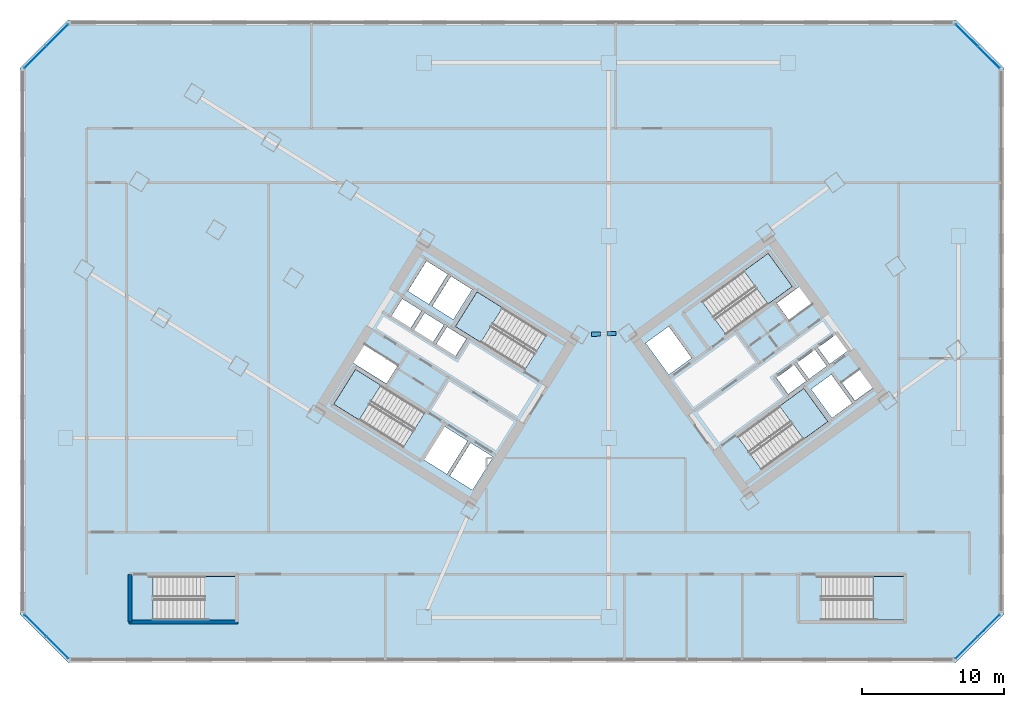
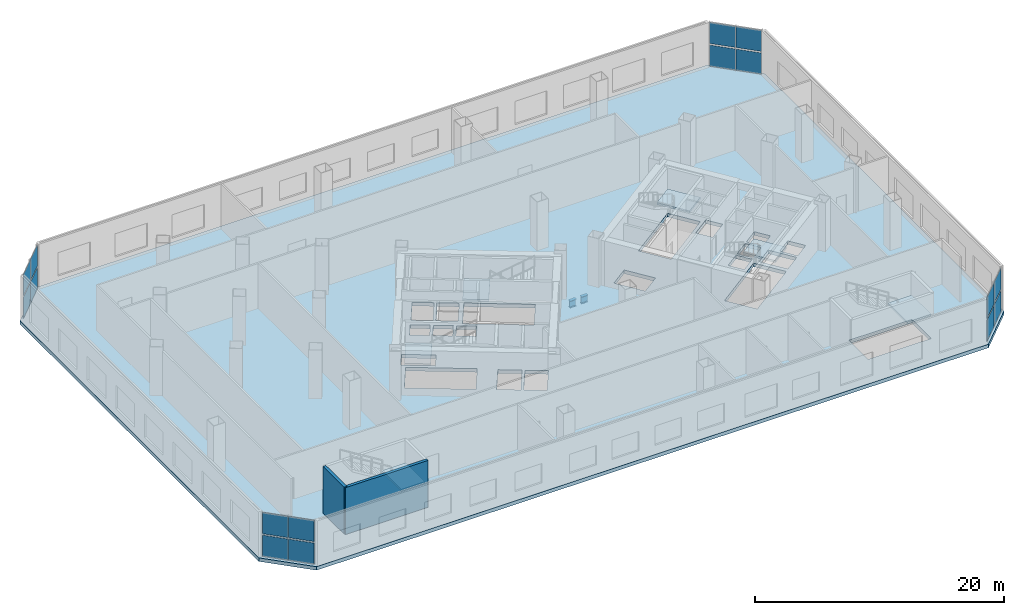
# One storey, part 9 of 22: 16 plates, 7 slabs, 2 beams, 2 walls, 10 elements without a shape of their own.
"""IFC4 building model written with IfcOpenShell, lengths in metres."""

from ifc_helpers import new_model, si_unit, direction, frame, frame_2d, origin, origin_2d, place, context, subcontext, project, spatial, polyline, rectangle, i_section, outline, extrude, source, transform, mapped, material, layer, layer_set, material_profile, profile_set, type_object, element, aggregate, save


model = new_model("IFC4")

# Units and contexts
model_context = context("Model", 3, precision=1e-05, world=origin(), true_north=direction((0.0, 1.0)))
body_context = subcontext(model_context, "Body", "Model", "MODEL_VIEW")
ifc_project = project(units=[si_unit("LENGTHUNIT", "METRE"), si_unit("AREAUNIT", "SQUARE_METRE"), si_unit("VOLUMEUNIT", "CUBIC_METRE"), si_unit("PLANEANGLEUNIT", "RADIAN"), si_unit("MASSUNIT", "GRAM", prefix="KILO")], contexts=[model_context])

# Site, building, storey
site_placement = place(None, origin())
site = spatial("IfcSite", under=ifc_project, at=site_placement, CompositionType="ELEMENT")
building_placement = place(site_placement, origin())
building = spatial("IfcBuilding", under=site, at=building_placement, Name="Tlacorven Tower", CompositionType="ELEMENT")
storey_placement = place(building_placement, frame((0.0, 0.0, 5.39990234375)))
storey = spatial("IfcBuildingStorey", under=building, at=storey_placement, Name="L01", CompositionType="ELEMENT", Elevation=5.39990234375)

# Beams
ifc_material_1 = material(Name="Steel S355J2", Category="steel")
ifc_material_profile = material_profile(ifc_material_1, i_section(OverallWidth=0.300048828125, OverallDepth=0.699951171875, WebThickness=0.01708984375, FlangeThickness=0.031982421875, at=origin_2d()), Name="HEB 700")
ifc_profile_set = profile_set([ifc_material_profile], Name="Steel S355J2")
beam_type = type_object("IfcBeamType", Name="BM-POD-700", PredefinedType="BEAM", material=ifc_profile_set)
shared_shape_1 = source(origin(), body_context, "Body", "SweptSolid", [
    extrude(i_section(OverallWidth=0.300048828125, OverallDepth=0.699951171875, WebThickness=0.01708984375, FlangeThickness=0.031982421875, at=origin_2d()), origin(), (0.0, 0.0, 1.0), 0.610107421875),
])
for number, where, z_axis, x_axis, name in (
    (1, (41.6025390625, 24.4970703125, -1.099853515625), (0.999393576203, 0.034820681269, 0.0), (-0.034820681269, 0.999393576203, 0.0), "L01 Concourse Bridge Sliding Bearing Corbel Seat 450mm"),
    (2, (42.694580078125, 24.53515625, -1.099853515625), (0.999393576203, 0.034820681269, 0.0), (-0.034820681269, 0.999393576203, 0.0), "L01 Concourse Bridge Fixed Bearing Corbel Seat 350mm"),
):
    element("IfcBeam", number, at=place(storey_placement, frame(where, z_axis=z_axis, x_axis=x_axis)), inside=storey, type_object=beam_type, Name=name, PredefinedType="BEAM", context=body_context, shape_type="MappedRepresentation", body=[
        mapped(shared_shape_1, transform((0.0, 0.0, 0.0), scale=1.0)),
    ])

# Stair, slab
ifc_material_2 = material(Name="Concrete C40/50", Category="concrete")
stair_type_1 = type_object("IfcStairType", Name="ST-CORE-DLG", PredefinedType="HALF_TURN_STAIR", material=ifc_material_2)
stair_1_placement = place(storey_placement, origin())
stair_1 = element("IfcStair", 3, at=stair_1_placement, inside=storey, type_object=stair_type_1, Name="L01 Protected Exit Stair West 1", PredefinedType="HALF_TURN_STAIR")
ifc_layer_1 = layer(ifc_material_2, 0.199951171875)
ifc_layer_set_1 = layer_set([ifc_layer_1], Name="Concrete C40/50")
slab_type_1 = type_object("IfcSlabType", Name="SL-LND-200", PredefinedType="LANDING", material=ifc_layer_set_1)
slab_1_placement = place(storey_placement, frame((0.0, 0.0, 2.2001953125)))
slab_1 = element("IfcSlab", 4, at=slab_1_placement, type_object=slab_type_1, Name="ST-W1 landing 1", PredefinedType="LANDING", context=body_context, shape_type="SweptSolid", body=[
    extrude(outline(polyline([(26.778564453125, 20.90869140625), (24.9892578125, 22.02685546875), (23.463134765625, 19.58447265625), (25.25244140625, 18.46630859375), (26.778564453125, 20.90869140625)])), origin(), (0.0, 0.0, 1.0), 0.199951171875),
])
aggregate(stair_1, [slab_1])

stair_2_placement = place(storey_placement, origin())
stair_2 = element("IfcStair", 5, at=stair_2_placement, inside=storey, type_object=stair_type_1, Name="L01 Protected Exit Stair West 2", PredefinedType="HALF_TURN_STAIR")
slab_2_placement = place(storey_placement, frame((0.0, 0.0, 2.2001953125)))
slab_2 = element("IfcSlab", 6, at=slab_2_placement, type_object=slab_type_1, Name="ST-W2 landing 1", PredefinedType="LANDING", context=body_context, shape_type="SweptSolid", body=[
    extrude(outline(polyline([(35.330078125, 26.366455078125), (33.540771484375, 27.484375), (32.0146484375, 25.0419921875), (33.803955078125, 23.924072265625), (35.330078125, 26.366455078125)])), origin(), (0.0, 0.0, 1.0), 0.199951171875),
])
aggregate(stair_2, [slab_2])

stair_3_placement = place(storey_placement, origin())
stair_3 = element("IfcStair", 7, at=stair_3_placement, inside=storey, type_object=stair_type_1, Name="L01 Protected Exit Stair East 1", PredefinedType="HALF_TURN_STAIR")
slab_3_placement = place(storey_placement, frame((0.0, 0.0, 2.2001953125)))
slab_3 = element("IfcSlab", 8, at=slab_3_placement, type_object=slab_type_1, Name="ST-E1 landing 1", PredefinedType="LANDING", context=body_context, shape_type="SweptSolid", body=[
    extrude(outline(polyline([(54.00390625, 26.621337890625), (55.7109375, 27.861572265625), (54.01806640625, 30.19140625), (52.31103515625, 28.951171875), (54.00390625, 26.621337890625)])), origin(), (0.0, 0.0, 1.0), 0.199951171875),
])
aggregate(stair_3, [slab_3])

stair_4_placement = place(storey_placement, origin())
stair_4 = element("IfcStair", 9, at=stair_4_placement, inside=storey, type_object=stair_type_1, Name="L01 Protected Exit Stair East 2", PredefinedType="HALF_TURN_STAIR")
slab_4_placement = place(storey_placement, frame((0.0, 0.0, 2.2001953125)))
slab_4 = element("IfcSlab", 10, at=slab_4_placement, type_object=slab_type_1, Name="ST-E2 landing 1", PredefinedType="LANDING", context=body_context, shape_type="SweptSolid", body=[
    extrude(outline(polyline([(56.5078125, 17.1181640625), (58.21484375, 18.3583984375), (56.52197265625, 20.6884765625), (54.81494140625, 19.4482421875), (56.5078125, 17.1181640625)])), origin(), (0.0, 0.0, 1.0), 0.199951171875),
])
aggregate(stair_4, [slab_4])

stair_type_2 = type_object("IfcStairType", Name="ST-POD-DLG", PredefinedType="HALF_TURN_STAIR", material=ifc_material_2)
stair_5_placement = place(storey_placement, origin())
stair_5 = element("IfcStair", 11, at=stair_5_placement, inside=storey, type_object=stair_type_2, Name="L01 Podium Station Exit Stair 1", PredefinedType="HALF_TURN_STAIR")
slab_5_placement = place(storey_placement, frame((0.0, 0.0, 2.2001953125)))
slab_5 = element("IfcSlab", 12, at=slab_5_placement, type_object=slab_type_1, Name="ST-P1 landing 1", PredefinedType="LANDING", context=body_context, shape_type="SweptSolid", body=[
    extrude(outline(polyline([(14.389892578125, 4.39990234375), (16.60009765625, 4.39990234375), (16.60009765625, 7.47998046875), (14.389892578125, 7.47998046875), (14.389892578125, 4.39990234375)])), origin(), (0.0, 0.0, 1.0), 0.199951171875),
])
aggregate(stair_5, [slab_5])

stair_6_placement = place(storey_placement, origin())
stair_6 = element("IfcStair", 13, at=stair_6_placement, inside=storey, type_object=stair_type_2, Name="L01 Podium Station Exit Stair 2", PredefinedType="HALF_TURN_STAIR")
slab_6_placement = place(storey_placement, frame((0.0, 0.0, 2.2001953125)))
slab_6 = element("IfcSlab", 14, at=slab_6_placement, type_object=slab_type_1, Name="ST-P2 landing 1", PredefinedType="LANDING", context=body_context, shape_type="SweptSolid", body=[
    extrude(outline(polyline([(61.389892578125, 4.39990234375), (63.60009765625, 4.39990234375), (63.60009765625, 7.47998046875), (61.389892578125, 7.47998046875), (61.389892578125, 4.39990234375)])), origin(), (0.0, 0.0, 1.0), 0.199951171875),
])
aggregate(stair_6, [slab_6])

# Slab
ifc_layer_2 = layer(ifc_material_2, 0.35009765625)
ifc_layer_set_2 = layer_set([ifc_layer_2], Name="Concrete C40/50")
slab_type_2 = type_object("IfcSlabType", Name="SL-POD-350", PredefinedType="FLOOR", material=ifc_layer_set_2)
slab_7_placement = place(storey_placement, frame((0.0, 0.0, -0.349853515625)))
element("IfcSlab", 15, at=slab_7_placement, inside=storey, type_object=slab_type_2, Name="L01 Structural Podium Floor Slab", PredefinedType="FLOOR", context=body_context, shape_type="SweptSolid", body=[
    extrude(outline(polyline([(4.800048828125, 1.39990234375), (67.199951171875, 1.39990234375), (70.60009765625, 4.800048828125), (70.60009765625, 43.199951171875), (67.199951171875, 46.60009765625), (4.800048828125, 46.60009765625), (1.39990234375, 43.199951171875), (1.39990234375, 4.800048828125), (4.800048828125, 1.39990234375)]), holes=[polyline([(29.865478515625, 18.979736328125), (24.9892578125, 22.02685546875), (23.463134765625, 19.58447265625), (28.33935546875, 16.537353515625), (29.865478515625, 18.979736328125)]), polyline([(38.4169921875, 24.4375), (33.540771484375, 27.484375), (32.0146484375, 25.0419921875), (36.890869140625, 21.9951171875), (38.4169921875, 24.4375)]), polyline([(51.05908203125, 24.481689453125), (55.7109375, 27.861572265625), (54.01806640625, 30.19140625), (49.3662109375, 26.811767578125), (51.05908203125, 24.481689453125)]), polyline([(53.56298828125, 14.978759765625), (58.21484375, 18.3583984375), (56.52197265625, 20.6884765625), (51.8701171875, 17.30859375), (53.56298828125, 14.978759765625)]), polyline([(10.75, 4.39990234375), (16.60009765625, 4.39990234375), (16.60009765625, 7.47998046875), (10.75, 7.47998046875), (10.75, 4.39990234375)]), polyline([(57.75, 4.39990234375), (63.60009765625, 4.39990234375), (63.60009765625, 7.47998046875), (57.75, 7.47998046875), (57.75, 4.39990234375)]), polyline([(34.682373046875, 15.87548828125), (33.088134765625, 16.871826171875), (31.62548828125, 14.531005859375), (33.2197265625, 13.534912109375), (34.682373046875, 15.87548828125)]), polyline([(32.884521484375, 16.9990234375), (31.2392578125, 18.02685546875), (29.77685546875, 15.686279296875), (31.421875, 14.658203125), (32.884521484375, 16.9990234375)]), polyline([(47.0234375, 21.648681640625), (48.6416015625, 22.82421875), (47.019287109375, 25.05712890625), (45.401123046875, 23.881591796875), (47.0234375, 21.648681640625)]), polyline([(33.197265625, 27.65185546875), (31.704833984375, 28.58447265625), (30.3798828125, 26.46435546875), (31.87255859375, 25.53173828125), (33.197265625, 27.65185546875)]), polyline([(31.484375, 28.722412109375), (29.99169921875, 29.655029296875), (28.6669921875, 27.534912109375), (30.159423828125, 26.602294921875), (31.484375, 28.722412109375)]), polyline([(32.794921875, 24.17724609375), (31.43798828125, 25.025146484375), (30.685546875, 23.82080078125), (32.042236328125, 22.972900390625), (32.794921875, 24.17724609375)]), polyline([(31.217529296875, 25.162841796875), (29.860595703125, 26.0107421875), (29.108154296875, 24.806396484375), (30.465087890625, 23.958740234375), (31.217529296875, 25.162841796875)]), polyline([(29.64013671875, 26.1484375), (28.283203125, 26.996337890625), (27.53076171875, 25.792236328125), (28.8876953125, 24.9443359375), (29.64013671875, 26.1484375)]), polyline([(55.427734375, 20.288818359375), (56.68994140625, 21.205810546875), (55.855224609375, 22.354736328125), (54.59326171875, 21.437744140625), (55.427734375, 20.288818359375)]), polyline([(56.884033203125, 21.346923828125), (58.146240234375, 22.263916015625), (57.3115234375, 23.41259765625), (56.04931640625, 22.495849609375), (56.884033203125, 21.346923828125)]), polyline([(58.34033203125, 22.405029296875), (59.602294921875, 23.322021484375), (58.767578125, 24.470703125), (57.505615234375, 23.5537109375), (58.34033203125, 22.405029296875)]), polyline([(58.498779296875, 18.614013671875), (59.922607421875, 19.648681640625), (58.453125, 21.671142578125), (57.029296875, 20.63671875), (58.498779296875, 18.614013671875)]), polyline([(27.96142578125, 22.2919921875), (25.603759765625, 23.76513671875), (24.80908203125, 22.4931640625), (27.16650390625, 21.02001953125), (27.96142578125, 22.2919921875)]), polyline([(55.490478515625, 25.4765625), (57.092529296875, 26.640380859375), (56.210693359375, 27.85400390625), (54.60888671875, 26.690185546875), (55.490478515625, 25.4765625)]), polyline([(60.12109375, 19.817626953125), (61.38330078125, 20.734619140625), (60.45458984375, 22.012939453125), (59.192626953125, 21.095947265625), (60.12109375, 19.817626953125)])]), origin(), (0.0, 0.0, 1.0), 0.349853515625),
])

# Curtain wall, plates
ifc_material_3 = material(Name="Dark solar low-E double glazing in aluminium frame", Category="aluminium")
curtain_wall_type = type_object("IfcCurtainWallType", Name="CW-STN-CONCOURSE", PredefinedType="USERDEFINED", material=ifc_material_3)
curtain_wall_1_placement = place(storey_placement, origin())
curtain_wall_1 = element("IfcCurtainWall", 16, at=curtain_wall_1_placement, inside=storey, type_object=curtain_wall_type, Name="L01 Podium Chamfer Curtain Wall 1", ObjectType="UNITISED CURTAIN WALL", PredefinedType="USERDEFINED")
ifc_material_4 = material(Name="Dark solar acoustic laminated low-E glazing", Category="glass")
ifc_layer_3 = layer(ifc_material_4, 0.035888671875)
ifc_layer_set_3 = layer_set([ifc_layer_3], Name="Dark solar acoustic laminated low-E glazing")
plate_type = type_object("IfcPlateType", Name="CWP-01", PredefinedType="CURTAIN_PANEL", material=ifc_layer_set_3)
shared_shape_2 = source(origin(), body_context, "Body", "SweptSolid", [
    extrude(rectangle(XDim=2.13427734375, YDim=0.035888671875, at=origin_2d()), origin(), (0.0, 0.0, 1.0), 2.0830078125),
])
plate_1_placement = place(storey_placement, frame((4.014404296875, 2.468505859375, 0.071044921875), z_axis=(0.0, 0.0, 1.0), x_axis=(-0.707106781187, 0.707106781187, 0.0)))
plate_1 = element("IfcPlate", 17, at=plate_1_placement, type_object=plate_type, Name="CW-L01-005 Glazing Panel 1", PredefinedType="CURTAIN_PANEL", context=body_context, shape_type="MappedRepresentation", body=[
    mapped(shared_shape_2, transform((0.0, 0.0, 0.0), scale=1.0)),
])
plate_2_placement = place(storey_placement, frame((4.014404296875, 2.468505859375, 2.296142578125), z_axis=(0.0, 0.0, 1.0), x_axis=(-0.707106781187, 0.707106781187, 0.0)))
plate_2 = element("IfcPlate", 18, at=plate_2_placement, type_object=plate_type, Name="CW-L01-005 Glazing Panel 2", PredefinedType="CURTAIN_PANEL", context=body_context, shape_type="MappedRepresentation", body=[
    mapped(shared_shape_2, transform((0.0, 0.0, 0.0), scale=1.0)),
])
plate_3_placement = place(storey_placement, frame((2.468505859375, 4.014404296875, 0.071044921875), z_axis=(0.0, 0.0, 1.0), x_axis=(-0.707106781187, 0.707106781187, 0.0)))
plate_3 = element("IfcPlate", 19, at=plate_3_placement, type_object=plate_type, Name="CW-L01-005 Glazing Panel 3", PredefinedType="CURTAIN_PANEL", context=body_context, shape_type="MappedRepresentation", body=[
    mapped(shared_shape_2, transform((0.0, 0.0, 0.0), scale=1.0)),
])
plate_4_placement = place(storey_placement, frame((2.468505859375, 4.014404296875, 2.296142578125), z_axis=(0.0, 0.0, 1.0), x_axis=(-0.707106781187, 0.707106781187, 0.0)))
plate_4 = element("IfcPlate", 20, at=plate_4_placement, type_object=plate_type, Name="CW-L01-005 Glazing Panel 4", PredefinedType="CURTAIN_PANEL", context=body_context, shape_type="MappedRepresentation", body=[
    mapped(shared_shape_2, transform((0.0, 0.0, 0.0), scale=1.0)),
])
aggregate(curtain_wall_1, [plate_1, plate_2, plate_3, plate_4])

curtain_wall_2_placement = place(storey_placement, origin())
curtain_wall_2 = element("IfcCurtainWall", 21, at=curtain_wall_2_placement, inside=storey, type_object=curtain_wall_type, Name="L01 Podium Chamfer Curtain Wall 3", ObjectType="UNITISED CURTAIN WALL", PredefinedType="USERDEFINED")
plate_5_placement = place(storey_placement, frame((2.468505859375, 43.985595703125, 0.071044921875), z_axis=(0.0, 0.0, 1.0), x_axis=(0.707106781187, 0.707106781187, 0.0)))
plate_5 = element("IfcPlate", 22, at=plate_5_placement, type_object=plate_type, Name="CW-L01-006 Glazing Panel 1", PredefinedType="CURTAIN_PANEL", context=body_context, shape_type="MappedRepresentation", body=[
    mapped(shared_shape_2, transform((0.0, 0.0, 0.0), scale=1.0)),
])
plate_6_placement = place(storey_placement, frame((2.468505859375, 43.985595703125, 2.296142578125), z_axis=(0.0, 0.0, 1.0), x_axis=(0.707106781187, 0.707106781187, 0.0)))
plate_6 = element("IfcPlate", 23, at=plate_6_placement, type_object=plate_type, Name="CW-L01-006 Glazing Panel 2", PredefinedType="CURTAIN_PANEL", context=body_context, shape_type="MappedRepresentation", body=[
    mapped(shared_shape_2, transform((0.0, 0.0, 0.0), scale=1.0)),
])
plate_7_placement = place(storey_placement, frame((4.014404296875, 45.531494140625, 0.071044921875), z_axis=(0.0, 0.0, 1.0), x_axis=(0.707106781187, 0.707106781187, 0.0)))
plate_7 = element("IfcPlate", 24, at=plate_7_placement, type_object=plate_type, Name="CW-L01-006 Glazing Panel 3", PredefinedType="CURTAIN_PANEL", context=body_context, shape_type="MappedRepresentation", body=[
    mapped(shared_shape_2, transform((0.0, 0.0, 0.0), scale=1.0)),
])
plate_8_placement = place(storey_placement, frame((4.014404296875, 45.531494140625, 2.296142578125), z_axis=(0.0, 0.0, 1.0), x_axis=(0.707106781187, 0.707106781187, 0.0)))
plate_8 = element("IfcPlate", 25, at=plate_8_placement, type_object=plate_type, Name="CW-L01-006 Glazing Panel 4", PredefinedType="CURTAIN_PANEL", context=body_context, shape_type="MappedRepresentation", body=[
    mapped(shared_shape_2, transform((0.0, 0.0, 0.0), scale=1.0)),
])
aggregate(curtain_wall_2, [plate_5, plate_6, plate_7, plate_8])

curtain_wall_3_placement = place(storey_placement, origin())
curtain_wall_3 = element("IfcCurtainWall", 26, at=curtain_wall_3_placement, inside=storey, type_object=curtain_wall_type, Name="L01 Podium Chamfer Curtain Wall 5", ObjectType="UNITISED CURTAIN WALL", PredefinedType="USERDEFINED")
plate_9_placement = place(storey_placement, frame((67.985595703125, 45.531494140625, 0.071044921875), z_axis=(0.0, 0.0, 1.0), x_axis=(0.707106781187, -0.707106781187, 0.0)))
plate_9 = element("IfcPlate", 27, at=plate_9_placement, type_object=plate_type, Name="CW-L01-007 Glazing Panel 1", PredefinedType="CURTAIN_PANEL", context=body_context, shape_type="MappedRepresentation", body=[
    mapped(shared_shape_2, transform((0.0, 0.0, 0.0), scale=1.0)),
])
plate_10_placement = place(storey_placement, frame((67.985595703125, 45.531494140625, 2.296142578125), z_axis=(0.0, 0.0, 1.0), x_axis=(0.707106781187, -0.707106781187, 0.0)))
plate_10 = element("IfcPlate", 28, at=plate_10_placement, type_object=plate_type, Name="CW-L01-007 Glazing Panel 2", PredefinedType="CURTAIN_PANEL", context=body_context, shape_type="MappedRepresentation", body=[
    mapped(shared_shape_2, transform((0.0, 0.0, 0.0), scale=1.0)),
])
plate_11_placement = place(storey_placement, frame((69.531494140625, 43.985595703125, 0.071044921875), z_axis=(0.0, 0.0, 1.0), x_axis=(0.707106781187, -0.707106781187, 0.0)))
plate_11 = element("IfcPlate", 29, at=plate_11_placement, type_object=plate_type, Name="CW-L01-007 Glazing Panel 3", PredefinedType="CURTAIN_PANEL", context=body_context, shape_type="MappedRepresentation", body=[
    mapped(shared_shape_2, transform((0.0, 0.0, 0.0), scale=1.0)),
])
plate_12_placement = place(storey_placement, frame((69.531494140625, 43.985595703125, 2.296142578125), z_axis=(0.0, 0.0, 1.0), x_axis=(0.707106781187, -0.707106781187, 0.0)))
plate_12 = element("IfcPlate", 30, at=plate_12_placement, type_object=plate_type, Name="CW-L01-007 Glazing Panel 4", PredefinedType="CURTAIN_PANEL", context=body_context, shape_type="MappedRepresentation", body=[
    mapped(shared_shape_2, transform((0.0, 0.0, 0.0), scale=1.0)),
])
aggregate(curtain_wall_3, [plate_9, plate_10, plate_11, plate_12])

curtain_wall_4_placement = place(storey_placement, origin())
curtain_wall_4 = element("IfcCurtainWall", 31, at=curtain_wall_4_placement, inside=storey, type_object=curtain_wall_type, Name="L01 Podium Chamfer Curtain Wall 7", ObjectType="UNITISED CURTAIN WALL", PredefinedType="USERDEFINED")
plate_13_placement = place(storey_placement, frame((69.531494140625, 4.014404296875, 0.071044921875), z_axis=(0.0, 0.0, 1.0), x_axis=(-0.707106781187, -0.707106781187, 0.0)))
plate_13 = element("IfcPlate", 32, at=plate_13_placement, type_object=plate_type, Name="CW-L01-008 Glazing Panel 1", PredefinedType="CURTAIN_PANEL", context=body_context, shape_type="MappedRepresentation", body=[
    mapped(shared_shape_2, transform((0.0, 0.0, 0.0), scale=1.0)),
])
plate_14_placement = place(storey_placement, frame((69.531494140625, 4.014404296875, 2.296142578125), z_axis=(0.0, 0.0, 1.0), x_axis=(-0.707106781187, -0.707106781187, 0.0)))
plate_14 = element("IfcPlate", 33, at=plate_14_placement, type_object=plate_type, Name="CW-L01-008 Glazing Panel 2", PredefinedType="CURTAIN_PANEL", context=body_context, shape_type="MappedRepresentation", body=[
    mapped(shared_shape_2, transform((0.0, 0.0, 0.0), scale=1.0)),
])
plate_15_placement = place(storey_placement, frame((67.985595703125, 2.468505859375, 0.071044921875), z_axis=(0.0, 0.0, 1.0), x_axis=(-0.707106781187, -0.707106781187, 0.0)))
plate_15 = element("IfcPlate", 34, at=plate_15_placement, type_object=plate_type, Name="CW-L01-008 Glazing Panel 3", PredefinedType="CURTAIN_PANEL", context=body_context, shape_type="MappedRepresentation", body=[
    mapped(shared_shape_2, transform((0.0, 0.0, 0.0), scale=1.0)),
])
plate_16_placement = place(storey_placement, frame((67.985595703125, 2.468505859375, 2.296142578125), z_axis=(0.0, 0.0, 1.0), x_axis=(-0.707106781187, -0.707106781187, 0.0)))
plate_16 = element("IfcPlate", 35, at=plate_16_placement, type_object=plate_type, Name="CW-L01-008 Glazing Panel 4", PredefinedType="CURTAIN_PANEL", context=body_context, shape_type="MappedRepresentation", body=[
    mapped(shared_shape_2, transform((0.0, 0.0, 0.0), scale=1.0)),
])
aggregate(curtain_wall_4, [plate_13, plate_14, plate_15, plate_16])

# Walls
ifc_material_5 = material(Name="Concrete C50/60", Category="concrete")
ifc_layer_4 = layer(ifc_material_5, 0.260009765625)
ifc_layer_set_4 = layer_set([ifc_layer_4], Name="Concrete C50/60")
wall_type = type_object("IfcWallType", Name="WL-STW-260", PredefinedType="SHEAR", material=ifc_layer_set_4)
wall_1_placement = place(storey_placement, frame((9.070068359375, 4.260009765625, 0.0), z_axis=(0.0, 0.0, 1.0), x_axis=(1.0, 0.0, 0.0)))
element("IfcWall", 36, at=wall_1_placement, inside=storey, type_object=wall_type, Name="L01 Stair P1 South Wall", PredefinedType="SHEAR", context=body_context, shape_type="SweptSolid", body=[
    extrude(rectangle(XDim=7.659912109375, YDim=0.260009765625, at=frame_2d((3.830078125, 0.0))), origin(), (0.0, 0.0, 1.0), 4.60009765625),
])
wall_2_placement = place(storey_placement, frame((9.139892578125, 4.260009765625, 0.0), z_axis=(0.0, 0.0, 1.0), x_axis=(0.0, 1.0, 0.0)))
element("IfcWall", 37, at=wall_2_placement, inside=storey, type_object=wall_type, Name="L01 Stair P1 West Wall", PredefinedType="SHEAR", context=body_context, shape_type="SweptSolid", body=[
    extrude(rectangle(XDim=3.360107421875, YDim=0.260009765625, at=frame_2d((1.68017578125, 0.0))), origin(), (0.0, 0.0, 1.0), 4.60009765625),
])

save(model, "model.ifc")
